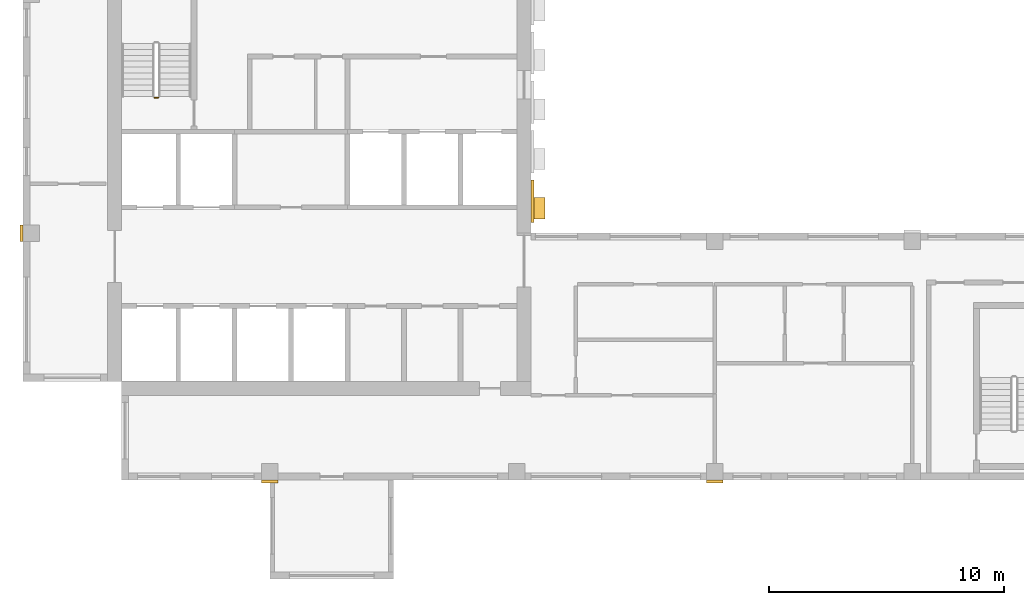
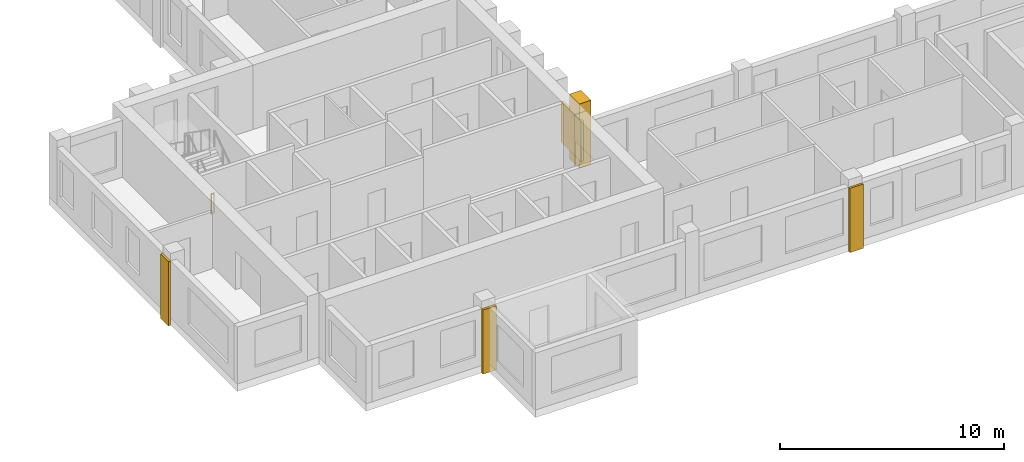
# One storey, part 7 of 10: 5 coverings, 1 railing.
"""IFC4 building model written with IfcOpenShell, lengths in metres."""

from ifc_helpers import new_model, si_unit, direction, frame, origin, origin_2d, place, context, subcontext, project, spatial, rectangle, circle, extrude, source, transform, mapped, material, type_object, element, save


model = new_model("IFC4")

# Units and contexts
model_context = context("Model", 3, precision=1e-05, world=origin(), true_north=direction((0.0, 1.0)))
body_context = subcontext(model_context, "Body", "Model", "MODEL_VIEW")
ifc_project = project(units=[si_unit("LENGTHUNIT", "METRE"), si_unit("AREAUNIT", "SQUARE_METRE"), si_unit("VOLUMEUNIT", "CUBIC_METRE"), si_unit("PLANEANGLEUNIT", "RADIAN"), si_unit("MASSUNIT", "GRAM", prefix="KILO")], contexts=[model_context])

# Site, building, storey
site_placement = place(None, origin())
site = spatial("IfcSite", under=ifc_project, at=site_placement, CompositionType="ELEMENT")
building_placement = place(site_placement, origin())
building = spatial("IfcBuilding", under=site, at=building_placement, Name="Aurelian Terraces", CompositionType="ELEMENT")
storey_placement = place(building_placement, frame((0.0, 0.0, 288.0)))
storey = spatial("IfcBuildingStorey", under=building, at=storey_placement, Name="L65", CompositionType="ELEMENT", Elevation=288.0)

# Coverings
ifc_material_1 = material(Name="Terracotta rainscreen cladding louvre blades", Category="masonry")
covering_type_1 = type_object("IfcCoveringType", Name="LOUVRE-TC", PredefinedType="CLADDING", material=ifc_material_1)
shared_shape_1 = source(origin(), body_context, "Body", "SweptSolid", [
    extrude(rectangle(XDim=0.12, YDim=1.8, at=origin_2d()), origin(), (0.0, 0.0, 1.0), 2.2),
])
covering_1_placement = place(storey_placement, frame((21.66, 11.85, 0.45), z_axis=(0.0, 0.0, 1.0), x_axis=(1.0, 0.0, 0.0)))
element("IfcCovering", 1, at=covering_1_placement, inside=storey, type_object=covering_type_1, Name="LOUVRE L65 core face E.1", PredefinedType="CLADDING", context=body_context, shape_type="MappedRepresentation", body=[
    mapped(shared_shape_1, transform((0.0, 0.0, 0.0), scale=1.0)),
])
ifc_material_2 = material(Name="Terracotta rainscreen cladding relief", Category="masonry")
covering_type_2 = type_object("IfcCoveringType", Name="BAGUETTE-TC", PredefinedType="CLADDING", material=ifc_material_2)
shared_shape_2 = source(origin(), body_context, "Body", "SweptSolid", [
    extrude(rectangle(XDim=0.7, YDim=0.12, at=origin_2d()), origin(), (0.0, 0.0, 1.0), 3.5),
])
for number, where, z_axis, x_axis, name in (
    (2, (10.5, -0.06, -0.4), (0.0, 0.0, 1.0), (1.0, 0.0, 0.0), "BAGUETTE pier L65 1"),
    (3, (29.4, -0.06, -0.4), (0.0, 0.0, 1.0), (1.0, 0.0, 0.0), "BAGUETTE pier L65 2"),
):
    element("IfcCovering", number, at=place(storey_placement, frame(where, z_axis=z_axis, x_axis=x_axis)), inside=storey, type_object=covering_type_2, Name=name, PredefinedType="CLADDING", context=body_context, shape_type="MappedRepresentation", body=[
        mapped(shared_shape_2, transform((0.0, 0.0, 0.0), scale=1.0)),
    ])
shared_shape_3 = source(origin(), body_context, "Body", "SweptSolid", [
    extrude(rectangle(XDim=0.12, YDim=0.7, at=origin_2d()), origin(), (0.0, 0.0, 1.0), 3.5),
])
covering_2_placement = place(storey_placement, frame((-0.06, 10.5, -0.4), z_axis=(0.0, 0.0, 1.0), x_axis=(1.0, 0.0, 0.0)))
element("IfcCovering", 4, at=covering_2_placement, inside=storey, type_object=covering_type_2, Name="BAGUETTE pier L65 5", PredefinedType="CLADDING", context=body_context, shape_type="MappedRepresentation", body=[
    mapped(shared_shape_3, transform((0.0, 0.0, 0.0), scale=1.0)),
])

# Railing
ifc_material_3 = material(Name="Stainless steel", Category="steel")
railing_type = type_object("IfcRailingType", Name="Stair guard 1100", PredefinedType="GUARDRAIL", material=ifc_material_3)
shared_shape_4 = source(origin(), body_context, "Body", "SweptSolid", [
    extrude(circle(Radius=0.024, at=origin_2d()), frame((0.0, 0.0, 1.076), z_axis=(-1.0, 0.0, 0.0), x_axis=(0.0, -1.0, 0.0)), (0.0, 0.0, 1.0), 0.15),
    extrude(circle(Radius=0.021, at=origin_2d()), origin(), (0.0, 0.0, 1.0), 1.052),
    extrude(circle(Radius=0.021, at=origin_2d()), frame((-0.15, 0.0, 0.0)), (0.0, 0.0, 1.0), 1.052),
])
railing_placement = place(storey_placement, frame((5.75, 16.25, 0.0)))
element("IfcRailing", 5, at=railing_placement, inside=storey, type_object=railing_type, Name="L65 S1 stair guard 4", PredefinedType="GUARDRAIL", context=body_context, shape_type="MappedRepresentation", body=[
    mapped(shared_shape_4, transform((0.0, 0.0, 0.0), scale=1.0)),
])

# Covering
covering_type_3 = type_object("IfcCoveringType", Name="Core spine pier 900x600", PredefinedType="CLADDING", material=ifc_material_2)
shared_shape_5 = source(origin(), body_context, "Body", "SweptSolid", [
    extrude(rectangle(XDim=0.6, YDim=0.9, at=origin_2d()), origin(), (0.0, 0.0, 1.0), 3.5),
])
covering_3_placement = place(storey_placement, frame((21.9, 11.55, 0.0), z_axis=(0.0, 0.0, 1.0), x_axis=(1.0, 0.0, 0.0)))
element("IfcCovering", 6, at=covering_3_placement, inside=storey, type_object=covering_type_3, Name="Spine pier L65 E1", PredefinedType="CLADDING", context=body_context, shape_type="MappedRepresentation", body=[
    mapped(shared_shape_5, transform((0.0, 0.0, 0.0), scale=1.0)),
])

save(model, "model.ifc")
